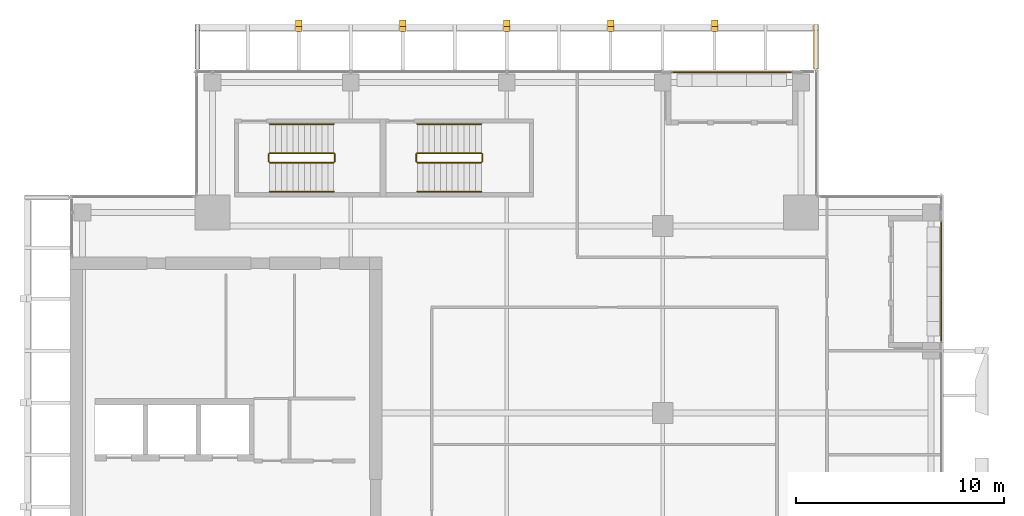
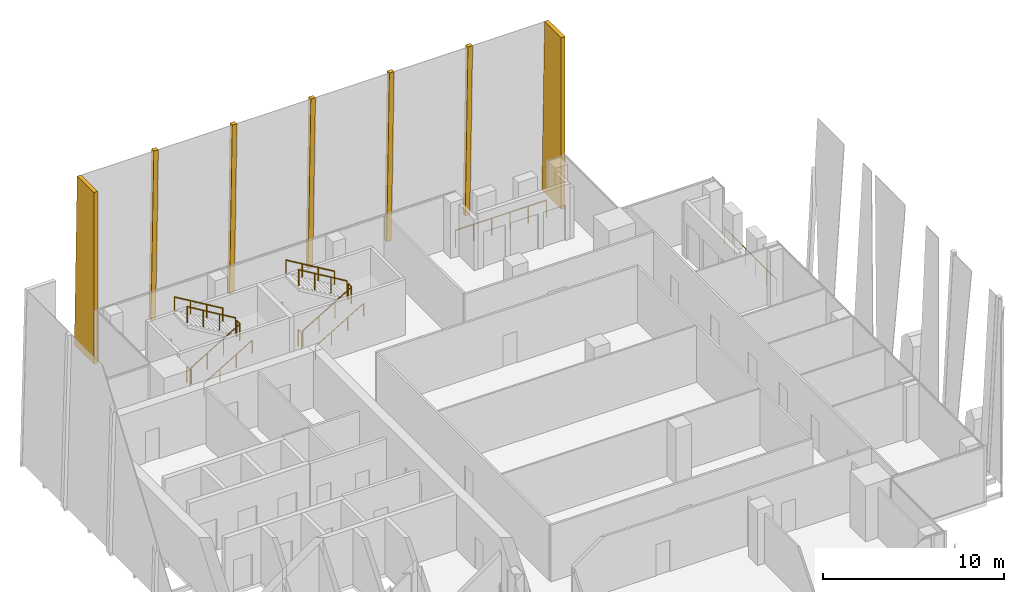
# One storey, part 32 of 33: 14 railings, 7 coverings.
"""IFC4 building model written with IfcOpenShell, lengths in metres."""

from ifc_helpers import new_model, si_unit, direction, frame, origin, origin_2d, place, context, subcontext, project, spatial, polyline, circle, outline, extrude, source, transform, mapped, material, layer, layer_set, type_object, element, save


model = new_model("IFC4")

# Units and contexts
model_context = context("Model", 3, precision=1e-05, world=origin(), true_north=direction((0.0, 1.0)))
body_context = subcontext(model_context, "Body", "Model", "MODEL_VIEW")
ifc_project = project(units=[si_unit("LENGTHUNIT", "METRE"), si_unit("AREAUNIT", "SQUARE_METRE"), si_unit("VOLUMEUNIT", "CUBIC_METRE"), si_unit("PLANEANGLEUNIT", "RADIAN"), si_unit("MASSUNIT", "GRAM", prefix="KILO")], contexts=[model_context])

# Site, building, storey
site_placement = place(None, origin())
site = spatial("IfcSite", under=ifc_project, at=site_placement, CompositionType="ELEMENT")
building_placement = place(site_placement, origin())
building = spatial("IfcBuilding", under=site, at=building_placement, Name="Khomas Fold Tower", CompositionType="ELEMENT")
storey_placement = place(building_placement, frame((0.0, 0.0, 294.199951171875)))
storey = spatial("IfcBuildingStorey", under=building, at=storey_placement, Name="L66", CompositionType="ELEMENT", Elevation=294.199951171875)

# Coverings
ifc_material_1 = material(Name="Natural stone cladding", Category="masonry")
ifc_layer = layer(ifc_material_1, 0.25)
ifc_layer_set = layer_set([ifc_layer], Name="Natural stone cladding")
covering_type = type_object("IfcCoveringType", Name="SK-Karibib marble stone mullion", PredefinedType="CLADDING", material=ifc_layer_set)
for number, where, z_axis, x_axis, name in (
    (1, (16.85009765625, 50.40380859375, 0.006591796875), (0.0, 0.999657230839, 0.026180543005), (1.0, 0.0, 0.0), "OUTER SKIN mullion L66 N2"),
    (2, (21.85009765625, 50.40380859375, 0.006591796875), (0.0, 0.999657230839, 0.026180543005), (1.0, 0.0, 0.0), "OUTER SKIN mullion L66 N4"),
    (3, (26.85009765625, 50.40380859375, 0.006591796875), (0.0, 0.999657230839, 0.026180543005), (1.0, 0.0, 0.0), "OUTER SKIN mullion L66 N6"),
    (4, (31.85009765625, 50.40380859375, 0.006591796875), (0.0, 0.999657230839, 0.026180543005), (1.0, 0.0, 0.0), "OUTER SKIN mullion L66 N8"),
    (5, (36.85009765625, 50.40380859375, 0.006591796875), (0.0, 0.999657230839, 0.026180543005), (1.0, 0.0, 0.0), "OUTER SKIN mullion L66 N10"),
):
    element("IfcCovering", number, at=place(storey_placement, frame(where, z_axis=z_axis, x_axis=x_axis)), inside=storey, type_object=covering_type, Name=name, PredefinedType="CLADDING", context=body_context, shape_type="SweptSolid", body=[
        extrude(outline(polyline([(0.0, 0.0), (0.2998046875, 0.0), (0.2998046875, -11.554009186164079), (0.0, -11.554009186164079), (0.0, 0.0)])), origin(), (0.0, 0.0, -1.0), 0.25),
    ])
covering_1_placement = place(storey_placement, frame((12.0, 48.050048828125, 11.550048828125), z_axis=(-1.0, 0.0, 0.0), x_axis=(0.0, 1.0, 0.0)))
element("IfcCovering", 6, at=covering_1_placement, inside=storey, type_object=covering_type, Name="OUTER SKIN return L66 N1", PredefinedType="CLADDING", context=body_context, shape_type="SweptSolid", body=[
    extrude(outline(polyline([(0.0, 0.0), (1.841552734375, 0.0), (2.14404296875, 11.550048828125), (0.0, 11.550048828125), (0.0, 0.0)])), origin(), (0.0, 0.0, -1.0), 0.25),
])
covering_2_placement = place(storey_placement, frame((42.0, 48.050048828125, 0.0), z_axis=(1.0, 0.0, 0.0), x_axis=(0.0, 1.0, 0.0)))
element("IfcCovering", 7, at=covering_2_placement, inside=storey, type_object=covering_type, Name="OUTER SKIN return L66 N2", PredefinedType="CLADDING", context=body_context, shape_type="SweptSolid", body=[
    extrude(outline(polyline([(0.0, 0.0), (2.14404296875, 0.0), (1.841552734375, 11.550048828125), (0.0, 11.550048828125), (0.0, 0.0)])), origin(), (0.0, 0.0, -1.0), 0.25),
])

# Railings
ifc_material_2 = material(Name="Powder-coated steel", Category="steel")
railing_type_1 = type_object("IfcRailingType", Name="Balcony guard", PredefinedType="GUARDRAIL", material=ifc_material_2)
shared_shape_1 = source(origin(), body_context, "Body", "SweptSolid", [
    extrude(circle(Radius=0.02490234375, at=origin_2d()), frame((0.0, 0.0, 1.125), z_axis=(1.0, 0.0, 0.0), x_axis=(0.0, 1.0, 0.0)), (0.0, 0.0, 1.0), 5.7900390625),
    extrude(circle(Radius=0.02001953125, at=origin_2d()), origin(), (0.0, 0.0, 1.0), 1.099853515625),
    extrude(circle(Radius=0.02001953125, at=origin_2d()), frame((1.157958984375, 0.0, 0.0)), (0.0, 0.0, 1.0), 1.099853515625),
    extrude(circle(Radius=0.02001953125, at=origin_2d()), frame((2.31591796875, 0.0, 0.0)), (0.0, 0.0, 1.0), 1.099853515625),
    extrude(circle(Radius=0.02001953125, at=origin_2d()), frame((3.47412109375, 0.0, 0.0)), (0.0, 0.0, 1.0), 1.099853515625),
    extrude(circle(Radius=0.02001953125, at=origin_2d()), frame((4.632080078125, 0.0, 0.0)), (0.0, 0.0, 1.0), 1.099853515625),
    extrude(circle(Radius=0.02001953125, at=origin_2d()), frame((5.7900390625, 0.0, 0.0)), (0.0, 0.0, 1.0), 1.099853515625),
])
railing_1_placement = place(storey_placement, frame((34.929931640625, 47.89990234375, -0.044921875)))
element("IfcRailing", 8, at=railing_1_placement, inside=storey, type_object=railing_type_1, Name="Balcony guard BAL-L66-N4", PredefinedType="GUARDRAIL", context=body_context, shape_type="MappedRepresentation", body=[
    mapped(shared_shape_1, transform((0.0, 0.0, 0.0))),
])
shared_shape_2 = source(origin(), body_context, "Body", "SweptSolid", [
    extrude(circle(Radius=0.02490234375, at=origin_2d()), frame((0.0, 0.0, 1.125), z_axis=(0.0, 1.0, 0.0), x_axis=(-1.0, 0.0, 0.0)), (0.0, 0.0, 1.0), 5.7900390625),
    extrude(circle(Radius=0.02001953125, at=origin_2d()), origin(), (0.0, 0.0, 1.0), 1.099853515625),
    extrude(circle(Radius=0.02001953125, at=origin_2d()), frame((0.0, 1.157958984375, 0.0)), (0.0, 0.0, 1.0), 1.099853515625),
    extrude(circle(Radius=0.02001953125, at=origin_2d()), frame((0.0, 2.31591796875, 0.0)), (0.0, 0.0, 1.0), 1.099853515625),
    extrude(circle(Radius=0.02001953125, at=origin_2d()), frame((0.0, 3.47412109375, 0.0)), (0.0, 0.0, 1.0), 1.099853515625),
    extrude(circle(Radius=0.02001953125, at=origin_2d()), frame((0.0, 4.632080078125, 0.0)), (0.0, 0.0, 1.0), 1.099853515625),
    extrude(circle(Radius=0.02001953125, at=origin_2d()), frame((0.0, 5.7900390625, 0.0)), (0.0, 0.0, 1.0), 1.099853515625),
])
railing_2_placement = place(storey_placement, frame((47.89990234375, 34.929931640625, -0.044921875)))
element("IfcRailing", 9, at=railing_2_placement, inside=storey, type_object=railing_type_1, Name="Balcony guard BAL-L66-E4", PredefinedType="GUARDRAIL", context=body_context, shape_type="MappedRepresentation", body=[
    mapped(shared_shape_2, transform((0.0, 0.0, 0.0))),
])
ifc_material_3 = material(Name="Steel balustrade", Category="steel")
railing_type_2 = type_object("IfcRailingType", Name="Stair guard", PredefinedType="GUARDRAIL", material=ifc_material_3)
shared_shape_3 = source(origin(), body_context, "Body", "SweptSolid", [
    extrude(circle(Radius=0.02392578125, at=origin_2d()), frame((0.0, 0.0, 1.076171875), z_axis=(0.0, 1.0, 0.0), x_axis=(-1.0, 0.0, 0.0)), (0.0, 0.0, 1.0), 0.349853515625),
    extrude(circle(Radius=0.02099609375, at=origin_2d()), origin(), (0.0, 0.0, 1.0), 1.052001953125),
    extrude(circle(Radius=0.02099609375, at=origin_2d()), frame((0.0, 0.349853515625, 0.0)), (0.0, 0.0, 1.0), 1.052001953125),
])
for number, where, name in (
    (10, (18.72998046875, 43.60009765625, 2.0), "L66 ST1 stair guard 2"),
    (11, (15.550048828125, 43.60009765625, 0.0), "L66 ST1 stair guard 4"),
    (12, (25.830078125, 43.60009765625, 2.0), "L66 ST3 stair guard 2"),
    (13, (22.64990234375, 43.60009765625, 0.0), "L66 ST3 stair guard 4"),
):
    element("IfcRailing", number, at=place(storey_placement, frame(where)), inside=storey, type_object=railing_type_2, Name=name, PredefinedType="GUARDRAIL", context=body_context, shape_type="MappedRepresentation", body=[
        mapped(shared_shape_3, transform((0.0, 0.0, 0.0))),
    ])
shared_shape_4 = source(origin(), body_context, "Body", "SweptSolid", [
    extrude(circle(Radius=0.02392578125, at=origin_2d()), frame((0.0, 0.0, 1.076171875), z_axis=(0.859290745958, 0.0, 0.51148745235), x_axis=(0.0, 1.0, 0.0)), (0.0, 0.0, 1.0), 3.584228515625),
    extrude(circle(Radius=0.02099609375, at=origin_2d()), origin(), (0.0, 0.0, 1.0), 1.052001953125),
    extrude(circle(Radius=0.02099609375, at=origin_2d()), frame((1.026611328125, 0.0, 0.611083984375)), (0.0, 0.0, 1.0), 1.052001953125),
    extrude(circle(Radius=0.02099609375, at=origin_2d()), frame((2.05322265625, 0.0, 1.22216796875)), (0.0, 0.0, 1.0), 1.052001953125),
    extrude(circle(Radius=0.02099609375, at=origin_2d()), frame((3.079833984375, 0.0, 1.833251953125)), (0.0, 0.0, 1.0), 1.052001953125),
])
railing_3_placement = place(storey_placement, frame((15.60009765625, 43.550048828125, 0.166748046875)))
element("IfcRailing", 14, at=railing_3_placement, inside=storey, type_object=railing_type_2, Name="L66 ST1 stair guard 1", PredefinedType="GUARDRAIL", context=body_context, shape_type="MappedRepresentation", body=[
    mapped(shared_shape_4, transform((0.0, 0.0, 0.0))),
])
shared_shape_5 = source(origin(), body_context, "Body", "SweptSolid", [
    extrude(circle(Radius=0.02392578125, at=origin_2d()), frame((0.0, 0.0, 1.076171875), z_axis=(-0.859290745958, 0.0, 0.51148745235), x_axis=(0.0, -1.0, 0.0)), (0.0, 0.0, 1.0), 3.584228515625),
    extrude(circle(Radius=0.02099609375, at=origin_2d()), origin(), (0.0, 0.0, 1.0), 1.052001953125),
    extrude(circle(Radius=0.02099609375, at=origin_2d()), frame((-1.026611328125, 0.0, 0.611083984375)), (0.0, 0.0, 1.0), 1.052001953125),
    extrude(circle(Radius=0.02099609375, at=origin_2d()), frame((-2.05322265625, 0.0, 1.22216796875)), (0.0, 0.0, 1.0), 1.052001953125),
    extrude(circle(Radius=0.02099609375, at=origin_2d()), frame((-3.079833984375, 0.0, 1.833251953125)), (0.0, 0.0, 1.0), 1.052001953125),
])
railing_4_placement = place(storey_placement, frame((18.679931640625, 44.0, 2.166748046875)))
element("IfcRailing", 15, at=railing_4_placement, inside=storey, type_object=railing_type_2, Name="L66 ST1 stair guard 3", PredefinedType="GUARDRAIL", context=body_context, shape_type="MappedRepresentation", body=[
    mapped(shared_shape_5, transform((0.0, 0.0, 0.0))),
])
ifc_material_4 = material(Name="Steel handrail", Category="steel")
railing_type_3 = type_object("IfcRailingType", Name="Stair handrail", PredefinedType="HANDRAIL", material=ifc_material_4)
shared_shape_6 = source(origin(), body_context, "Body", "SweptSolid", [
    extrude(circle(Radius=0.02392578125, at=origin_2d()), frame((0.0, 0.0, 0.8759765625), z_axis=(0.859290745958, 0.0, 0.51148745235), x_axis=(0.0, 1.0, 0.0)), (0.0, 0.0, 1.0), 3.584228515625),
    extrude(circle(Radius=0.02099609375, at=origin_2d()), origin(), (0.0, 0.0, 1.0), 0.851806640625),
    extrude(circle(Radius=0.02099609375, at=origin_2d()), frame((1.026611328125, 0.0, 0.611083984375)), (0.0, 0.0, 1.0), 0.851806640625),
    extrude(circle(Radius=0.02099609375, at=origin_2d()), frame((2.05322265625, 0.0, 1.22216796875)), (0.0, 0.0, 1.0), 0.851806640625),
    extrude(circle(Radius=0.02099609375, at=origin_2d()), frame((3.079833984375, 0.0, 1.833251953125)), (0.0, 0.0, 1.0), 0.851806640625),
])
railing_5_placement = place(storey_placement, frame((15.60009765625, 42.14990234375, 0.166748046875)))
element("IfcRailing", 16, at=railing_5_placement, inside=storey, type_object=railing_type_3, Name="L66 ST1 stair handrail 1", PredefinedType="HANDRAIL", context=body_context, shape_type="MappedRepresentation", body=[
    mapped(shared_shape_6, transform((0.0, 0.0, 0.0))),
])
shared_shape_7 = source(origin(), body_context, "Body", "SweptSolid", [
    extrude(circle(Radius=0.02392578125, at=origin_2d()), frame((0.0, 0.0, 0.8759765625), z_axis=(-0.859290745958, 0.0, 0.51148745235), x_axis=(0.0, -1.0, 0.0)), (0.0, 0.0, 1.0), 3.584228515625),
    extrude(circle(Radius=0.02099609375, at=origin_2d()), origin(), (0.0, 0.0, 1.0), 0.851806640625),
    extrude(circle(Radius=0.02099609375, at=origin_2d()), frame((-1.026611328125, 0.0, 0.611083984375)), (0.0, 0.0, 1.0), 0.851806640625),
    extrude(circle(Radius=0.02099609375, at=origin_2d()), frame((-2.05322265625, 0.0, 1.22216796875)), (0.0, 0.0, 1.0), 0.851806640625),
    extrude(circle(Radius=0.02099609375, at=origin_2d()), frame((-3.079833984375, 0.0, 1.833251953125)), (0.0, 0.0, 1.0), 0.851806640625),
])
railing_6_placement = place(storey_placement, frame((18.679931640625, 45.39990234375, 2.166748046875)))
element("IfcRailing", 17, at=railing_6_placement, inside=storey, type_object=railing_type_3, Name="L66 ST1 stair handrail 2", PredefinedType="HANDRAIL", context=body_context, shape_type="MappedRepresentation", body=[
    mapped(shared_shape_7, transform((0.0, 0.0, 0.0))),
])
shared_shape_8 = source(origin(), body_context, "Body", "SweptSolid", [
    extrude(circle(Radius=0.02392578125, at=origin_2d()), frame((0.0, 0.0, 1.076171875), z_axis=(0.859308565015, 0.0, 0.511457515432), x_axis=(0.0, 1.0, 0.0)), (0.0, 0.0, 1.0), 3.58447265625),
    extrude(circle(Radius=0.02099609375, at=origin_2d()), origin(), (0.0, 0.0, 1.0), 1.052001953125),
    extrude(circle(Radius=0.02099609375, at=origin_2d()), frame((1.026611328125, 0.0, 0.611083984375)), (0.0, 0.0, 1.0), 1.052001953125),
    extrude(circle(Radius=0.02099609375, at=origin_2d()), frame((2.053466796875, 0.0, 1.22216796875)), (0.0, 0.0, 1.0), 1.052001953125),
    extrude(circle(Radius=0.02099609375, at=origin_2d()), frame((3.080078125, 0.0, 1.833251953125)), (0.0, 0.0, 1.0), 1.052001953125),
])
railing_7_placement = place(storey_placement, frame((22.699951171875, 43.550048828125, 0.166748046875)))
element("IfcRailing", 18, at=railing_7_placement, inside=storey, type_object=railing_type_2, Name="L66 ST3 stair guard 1", PredefinedType="GUARDRAIL", context=body_context, shape_type="MappedRepresentation", body=[
    mapped(shared_shape_8, transform((0.0, 0.0, 0.0))),
])
shared_shape_9 = source(origin(), body_context, "Body", "SweptSolid", [
    extrude(circle(Radius=0.02392578125, at=origin_2d()), frame((0.0, 0.0, 1.076171875), z_axis=(-0.859308565015, 0.0, 0.511457515432), x_axis=(0.0, -1.0, 0.0)), (0.0, 0.0, 1.0), 3.58447265625),
    extrude(circle(Radius=0.02099609375, at=origin_2d()), origin(), (0.0, 0.0, 1.0), 1.052001953125),
    extrude(circle(Radius=0.02099609375, at=origin_2d()), frame((-1.026611328125, 0.0, 0.611083984375)), (0.0, 0.0, 1.0), 1.052001953125),
    extrude(circle(Radius=0.02099609375, at=origin_2d()), frame((-2.053466796875, 0.0, 1.22216796875)), (0.0, 0.0, 1.0), 1.052001953125),
    extrude(circle(Radius=0.02099609375, at=origin_2d()), frame((-3.080078125, 0.0, 1.833251953125)), (0.0, 0.0, 1.0), 1.052001953125),
])
railing_8_placement = place(storey_placement, frame((25.780029296875, 44.0, 2.166748046875)))
element("IfcRailing", 19, at=railing_8_placement, inside=storey, type_object=railing_type_2, Name="L66 ST3 stair guard 3", PredefinedType="GUARDRAIL", context=body_context, shape_type="MappedRepresentation", body=[
    mapped(shared_shape_9, transform((0.0, 0.0, 0.0))),
])
shared_shape_10 = source(origin(), body_context, "Body", "SweptSolid", [
    extrude(circle(Radius=0.02392578125, at=origin_2d()), frame((0.0, 0.0, 0.8759765625), z_axis=(0.859308565015, 0.0, 0.511457515432), x_axis=(0.0, 1.0, 0.0)), (0.0, 0.0, 1.0), 3.58447265625),
    extrude(circle(Radius=0.02099609375, at=origin_2d()), origin(), (0.0, 0.0, 1.0), 0.851806640625),
    extrude(circle(Radius=0.02099609375, at=origin_2d()), frame((1.026611328125, 0.0, 0.611083984375)), (0.0, 0.0, 1.0), 0.851806640625),
    extrude(circle(Radius=0.02099609375, at=origin_2d()), frame((2.053466796875, 0.0, 1.22216796875)), (0.0, 0.0, 1.0), 0.851806640625),
    extrude(circle(Radius=0.02099609375, at=origin_2d()), frame((3.080078125, 0.0, 1.833251953125)), (0.0, 0.0, 1.0), 0.851806640625),
])
railing_9_placement = place(storey_placement, frame((22.699951171875, 42.14990234375, 0.166748046875)))
element("IfcRailing", 20, at=railing_9_placement, inside=storey, type_object=railing_type_3, Name="L66 ST3 stair handrail 1", PredefinedType="HANDRAIL", context=body_context, shape_type="MappedRepresentation", body=[
    mapped(shared_shape_10, transform((0.0, 0.0, 0.0))),
])
shared_shape_11 = source(origin(), body_context, "Body", "SweptSolid", [
    extrude(circle(Radius=0.02392578125, at=origin_2d()), frame((0.0, 0.0, 0.8759765625), z_axis=(-0.859308565015, 0.0, 0.511457515432), x_axis=(0.0, -1.0, 0.0)), (0.0, 0.0, 1.0), 3.58447265625),
    extrude(circle(Radius=0.02099609375, at=origin_2d()), origin(), (0.0, 0.0, 1.0), 0.851806640625),
    extrude(circle(Radius=0.02099609375, at=origin_2d()), frame((-1.026611328125, 0.0, 0.611083984375)), (0.0, 0.0, 1.0), 0.851806640625),
    extrude(circle(Radius=0.02099609375, at=origin_2d()), frame((-2.053466796875, 0.0, 1.22216796875)), (0.0, 0.0, 1.0), 0.851806640625),
    extrude(circle(Radius=0.02099609375, at=origin_2d()), frame((-3.080078125, 0.0, 1.833251953125)), (0.0, 0.0, 1.0), 0.851806640625),
])
railing_10_placement = place(storey_placement, frame((25.780029296875, 45.39990234375, 2.166748046875)))
element("IfcRailing", 21, at=railing_10_placement, inside=storey, type_object=railing_type_3, Name="L66 ST3 stair handrail 2", PredefinedType="HANDRAIL", context=body_context, shape_type="MappedRepresentation", body=[
    mapped(shared_shape_11, transform((0.0, 0.0, 0.0))),
])

save(model, "model.ifc")
